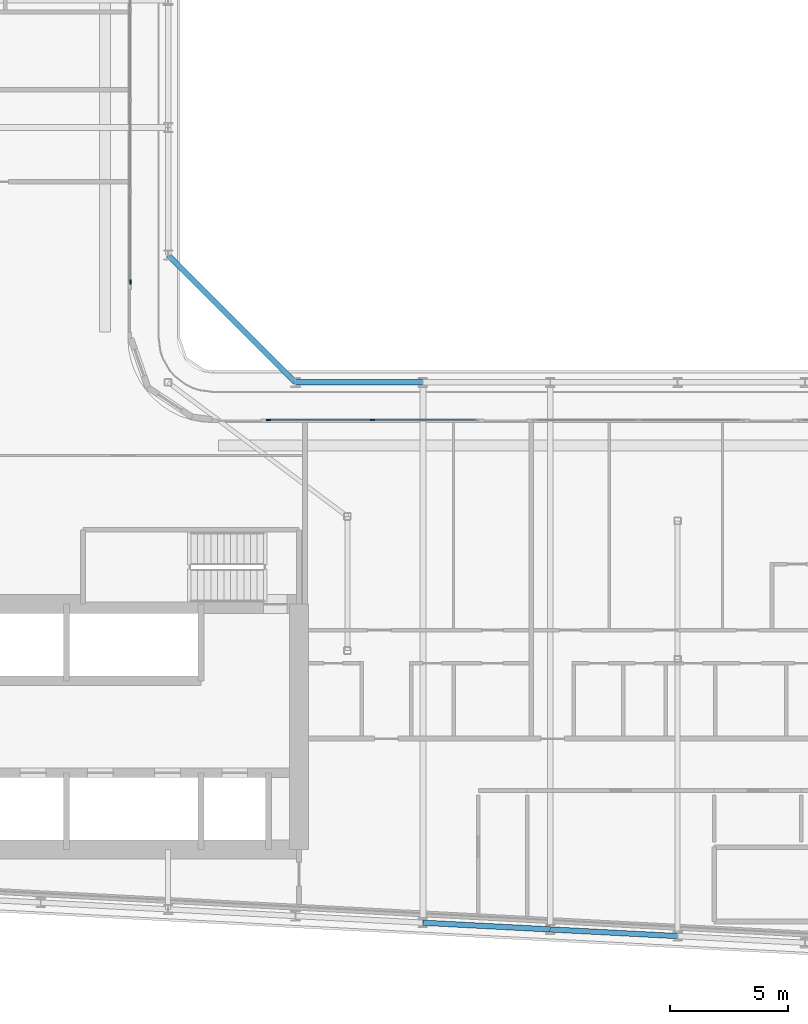
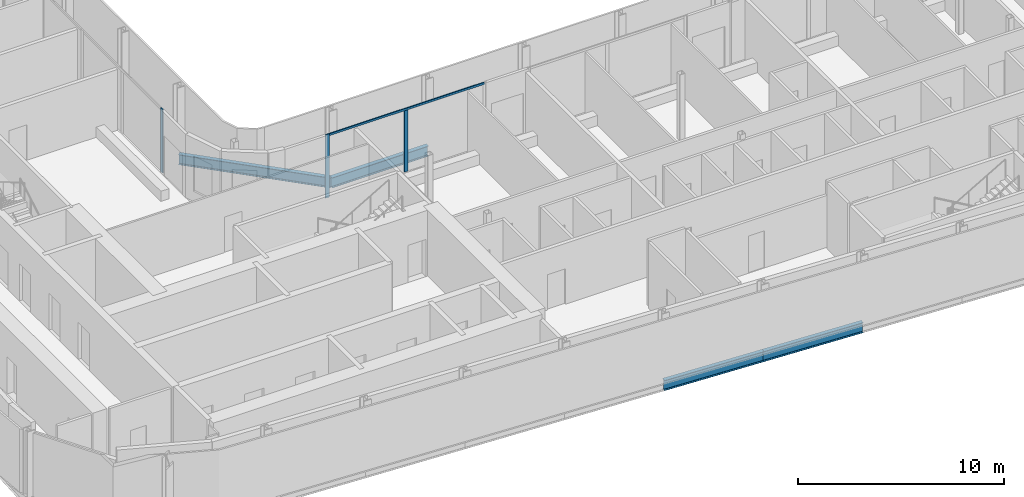
# One storey, part 6 of 29: 4 beams, 4 members, 2 elements without a shape of their own.
"""IFC4 building model written with IfcOpenShell, lengths in metres."""

from ifc_helpers import new_model, si_unit, direction, frame, origin, origin_2d, place, context, subcontext, project, spatial, rectangle, i_section, extrude, material, layer, layer_set, material_profile, profile_set, type_object, element, aggregate, save


model = new_model("IFC4")

# Units and contexts
model_context = context("Model", 3, precision=1e-05, world=origin(), true_north=direction((0.0, 1.0)))
body_context = subcontext(model_context, "Body", "Model", "MODEL_VIEW")
ifc_project = project(units=[si_unit("LENGTHUNIT", "METRE"), si_unit("AREAUNIT", "SQUARE_METRE"), si_unit("VOLUMEUNIT", "CUBIC_METRE"), si_unit("PLANEANGLEUNIT", "RADIAN"), si_unit("MASSUNIT", "GRAM", prefix="KILO")], contexts=[model_context])

# Site, building, storey
site_placement = place(None, origin())
site = spatial("IfcSite", under=ifc_project, at=site_placement, CompositionType="ELEMENT")
building_placement = place(site_placement, origin())
building = spatial("IfcBuilding", under=site, at=building_placement, Name="Kheshtan School and Residences Tower", CompositionType="ELEMENT")
storey_placement = place(building_placement, frame((0.0, 0.0, 172.10009765625)))
storey = spatial("IfcBuildingStorey", under=building, at=storey_placement, Name="L40", CompositionType="ELEMENT", Elevation=172.10009765625)

# Beams
ifc_material_1 = material(Name="Steel ASTM A992 Grade 50", Category="steel")
ifc_material_profile_1 = material_profile(ifc_material_1, i_section(OverallWidth=0.22802734375, OverallDepth=0.60302734375, WebThickness=0.010498046875, FlangeThickness=0.014892578125, FilletRadius=0.013427734375, at=origin_2d()), Name="W610x101")
ifc_profile_set_1 = profile_set([ifc_material_profile_1], Name="Steel ASTM A992 Grade 50")
beam_type = type_object("IfcBeamType", Name="Beam SP2 W610x101 ASTM A992 Grade 50", PredefinedType="BEAM", material=ifc_profile_set_1)
beam_1_placement = place(storey_placement, frame((47.60009765625, 51.0, -0.45166015625), z_axis=(0.707106781187, -0.707106781187, 0.0), x_axis=(0.707106781187, 0.707106781187, 0.0)))
element("IfcBeam", 1, at=beam_1_placement, inside=storey, type_object=beam_type, Name="Spandrel beam C079-C061", PredefinedType="BEAM", context=body_context, shape_type="SweptSolid", body=[
    extrude(i_section(OverallWidth=0.22802734375, OverallDepth=0.60302734375, WebThickness=0.010498046875, FlangeThickness=0.014892578125, FilletRadius=0.013427734375, at=origin_2d()), origin(), (0.0, 0.0, 1.0), 7.63671875),
])
beam_2_placement = place(storey_placement, frame((53.0, 45.60009765625, -0.45166015625), z_axis=(1.0, 0.0, 0.0), x_axis=(0.0, 1.0, 0.0)))
element("IfcBeam", 2, at=beam_2_placement, inside=storey, type_object=beam_type, Name="Spandrel beam C061-C062", PredefinedType="BEAM", context=body_context, shape_type="SweptSolid", body=[
    extrude(i_section(OverallWidth=0.22802734375, OverallDepth=0.60302734375, WebThickness=0.010498046875, FlangeThickness=0.014892578125, FilletRadius=0.013427734375, at=origin_2d()), origin(), (0.0, 0.0, 1.0), 5.39990234375),
])
beam_3_placement = place(storey_placement, frame((69.199951171875, 22.126953125, -0.45166015625), z_axis=(-0.998620447272, 0.05250906864, 0.0), x_axis=(-0.05250906864, -0.998620447272, 0.0)))
element("IfcBeam", 3, at=beam_3_placement, inside=storey, type_object=beam_type, Name="Spandrel beam C014-C016", PredefinedType="BEAM", context=body_context, shape_type="SweptSolid", body=[
    extrude(i_section(OverallWidth=0.22802734375, OverallDepth=0.60302734375, WebThickness=0.010498046875, FlangeThickness=0.014892578125, FilletRadius=0.013427734375, at=origin_2d()), origin(), (0.0, 0.0, 1.0), 5.407470703125),
])
beam_4_placement = place(storey_placement, frame((63.800048828125, 22.410888671875, -0.45166015625), z_axis=(-0.998618203458, 0.052551724256, 0.0), x_axis=(-0.052551724256, -0.998618203458, 0.0)))
element("IfcBeam", 4, at=beam_4_placement, inside=storey, type_object=beam_type, Name="Spandrel beam C016-C018", PredefinedType="BEAM", context=body_context, shape_type="SweptSolid", body=[
    extrude(i_section(OverallWidth=0.22802734375, OverallDepth=0.60302734375, WebThickness=0.010498046875, FlangeThickness=0.014892578125, FilletRadius=0.013427734375, at=origin_2d()), origin(), (0.0, 0.0, 1.0), 5.40771484375),
])

# Curtain wall, member
ifc_material_2 = material(Name="Clear low-e glass in thermally broken aluminium frame", Category="aluminium")
ifc_layer = layer(ifc_material_2, 0.199951171875)
ifc_layer_set = layer_set([ifc_layer], Name="Curtain wall CW-L")
curtain_wall_type = type_object("IfcCurtainWallType", Name="Curtain wall CW-L", PredefinedType="NOTDEFINED", material=ifc_layer_set)
curtain_wall_1_placement = place(storey_placement, origin())
curtain_wall_1 = element("IfcCurtainWall", 5, at=curtain_wall_1_placement, inside=storey, type_object=curtain_wall_type, Name="Curtain wall CWL8", PredefinedType="NOTDEFINED")
ifc_material_3 = material(Name="Thermally broken aluminium, dark bronze anodised", Category="aluminium")
ifc_material_profile_2 = material_profile(ifc_material_3, rectangle(XDim=0.06005859375, YDim=0.199951171875, at=origin_2d()), Name="CW-L mullion 60x200")
ifc_profile_set_2 = profile_set([ifc_material_profile_2], Name="Thermally broken aluminium, dark bronze anodised")
member_type_1 = type_object("IfcMemberType", Name="CW-L mullion 60x200", PredefinedType="MULLION", material=ifc_profile_set_2)
member_1_placement = place(storey_placement, frame((46.0, 49.860107421875, 0.0), z_axis=(0.0, 0.0, 1.0), x_axis=(1.0, 0.0, 0.0)))
member_1 = element("IfcMember", 6, at=member_1_placement, type_object=member_type_1, Name="CWL8 mullion 3", PredefinedType="MULLION", context=body_context, shape_type="SweptSolid", body=[
    extrude(rectangle(XDim=0.06005859375, YDim=0.199951171875, at=origin_2d()), origin(), (0.0, 0.0, 1.0), 3.75),
])
aggregate(curtain_wall_1, [member_1])

# Curtain wall, members
curtain_wall_2_placement = place(storey_placement, origin())
curtain_wall_2 = element("IfcCurtainWall", 7, at=curtain_wall_2_placement, inside=storey, type_object=curtain_wall_type, Name="Curtain wall CWL12f", PredefinedType="NOTDEFINED")
member_2_placement = place(storey_placement, frame((51.860107421875, 44.0, 0.0), z_axis=(0.0, 0.0, 1.0), x_axis=(0.0, 1.0, 0.0)))
member_2 = element("IfcMember", 8, at=member_2_placement, type_object=member_type_1, Name="CWL12f mullion 1", PredefinedType="MULLION", context=body_context, shape_type="SweptSolid", body=[
    extrude(rectangle(XDim=0.06005859375, YDim=0.199951171875, at=origin_2d()), origin(), (0.0, 0.0, 1.0), 3.75),
])
member_3_placement = place(storey_placement, frame((56.263671875, 44.0, 0.0), z_axis=(0.0, 0.0, 1.0), x_axis=(0.0, 1.0, 0.0)))
member_3 = element("IfcMember", 9, at=member_3_placement, type_object=member_type_1, Name="CWL12f mullion 2", PredefinedType="MULLION", context=body_context, shape_type="SweptSolid", body=[
    extrude(rectangle(XDim=0.06005859375, YDim=0.199951171875, at=origin_2d()), origin(), (0.0, 0.0, 1.0), 3.6298828125),
])
ifc_material_profile_3 = material_profile(ifc_material_3, rectangle(XDim=0.06005859375, YDim=0.1201171875, at=origin_2d()), Name="CW-L transom 60x120")
ifc_profile_set_3 = profile_set([ifc_material_profile_3], Name="Thermally broken aluminium, dark bronze anodised")
member_type_2 = type_object("IfcMemberType", Name="CW-L transom 60x120", PredefinedType="USERDEFINED", material=ifc_profile_set_3)
member_4_placement = place(storey_placement, frame((51.889892578125, 44.0, 3.68994140625), z_axis=(1.0, 0.0, 0.0), x_axis=(0.0, 1.0, 0.0)))
member_4 = element("IfcMember", 10, at=member_4_placement, type_object=member_type_2, Name="CWL12f transom 1", ObjectType="TRANSOM", PredefinedType="USERDEFINED", context=body_context, shape_type="SweptSolid", body=[
    extrude(rectangle(XDim=0.06005859375, YDim=0.1201171875, at=origin_2d()), origin(), (0.0, 0.0, 1.0), 8.74755859375),
])
aggregate(curtain_wall_2, [member_2, member_3, member_4])

save(model, "model.ifc")
